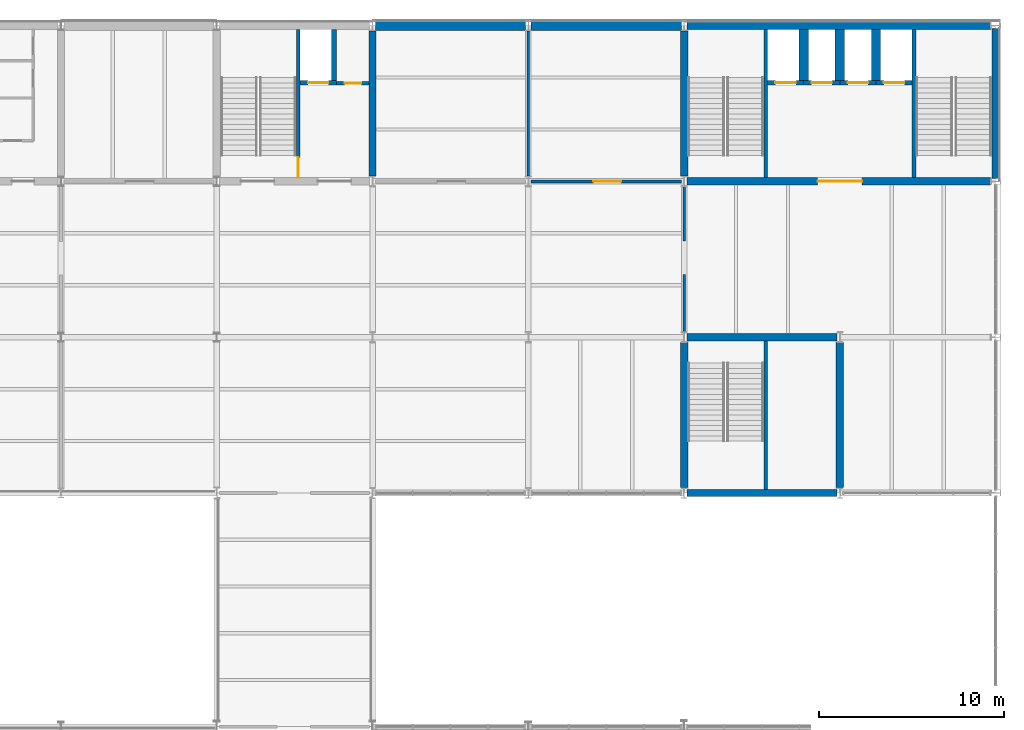
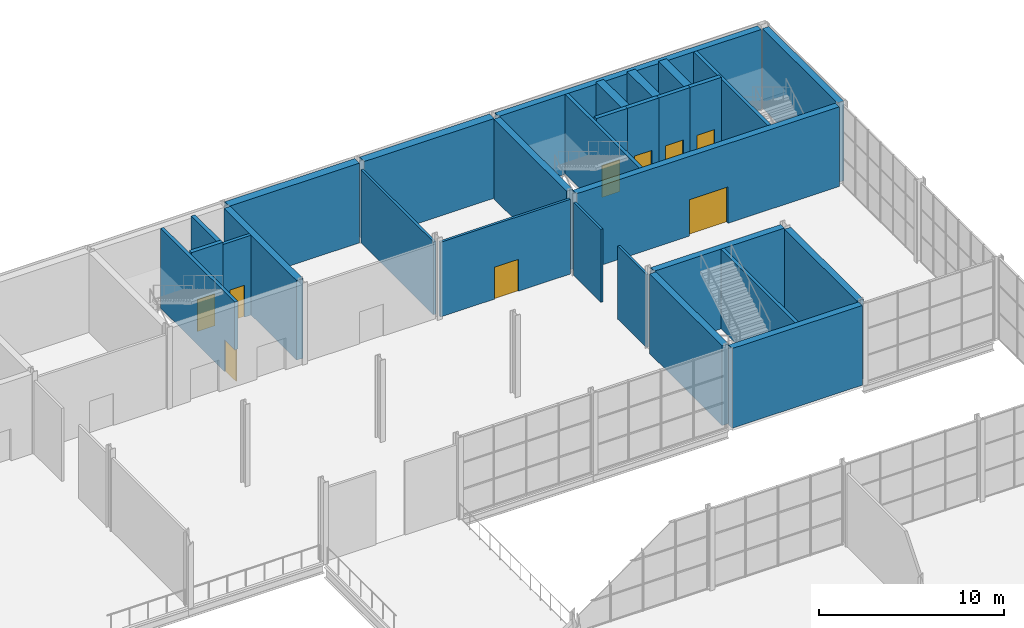
# One storey, part 44 of 64: 29 walls, 9 doors, 9 openings.
"""IFC4 building model written with IfcOpenShell, lengths in metres."""

from ifc_helpers import new_model, si_unit, direction, frame, frame_2d, origin, place, context, subcontext, project, spatial, rectangle, extrude, material, layer, layer_set, type_object, element, fill, save


model = new_model("IFC4")

# Units and contexts
model_context = context("Model", 3, precision=1e-05, world=origin(), true_north=direction((0.0, 1.0)))
body_context = subcontext(model_context, "Body", "Model", "MODEL_VIEW")
ifc_project = project(units=[si_unit("LENGTHUNIT", "METRE"), si_unit("AREAUNIT", "SQUARE_METRE"), si_unit("VOLUMEUNIT", "CUBIC_METRE"), si_unit("PLANEANGLEUNIT", "RADIAN"), si_unit("MASSUNIT", "GRAM", prefix="KILO")], contexts=[model_context])

# Site, building, storey
site_placement = place(None, origin())
site = spatial("IfcSite", under=ifc_project, at=site_placement, CompositionType="ELEMENT")
building_placement = place(site_placement, origin())
building = spatial("IfcBuilding", under=site, at=building_placement, Name="Galleria Vessillo Department Store", CompositionType="ELEMENT")
storey_placement = place(building_placement, frame((0.0, 0.0, 6.0)))
storey = spatial("IfcBuildingStorey", under=building, at=storey_placement, Name="L01", CompositionType="ELEMENT", Elevation=6.0)

# Walls
ifc_material_1 = material(Name="Solid clay block masonry", Category="masonry")
ifc_layer_1 = layer(ifc_material_1, 0.5)
ifc_layer_set_1 = layer_set([ifc_layer_1], Name="Solid clay block masonry")
wall_type_1 = type_object("IfcWallType", Name="Lift shaft partition wall 500 mm", PredefinedType="SOLIDWALL", material=ifc_layer_set_1)
for number, where, z_axis, x_axis, name in (
    (1, (107.25, 62.800048828125, 0.0), (0.0, 0.0, 1.0), (0.0, -1.0, 0.0), "Lift shaft partition wall T1 L01"),
    (2, (109.199951171875, 62.800048828125, 0.0), (0.0, 0.0, 1.0), (0.0, -1.0, 0.0), "Lift shaft partition wall T2 L01"),
    (3, (111.14990234375, 62.800048828125, 0.0), (0.0, 0.0, 1.0), (0.0, -1.0, 0.0), "Lift shaft partition wall T3 L01"),
):
    element("IfcWall", number, at=place(storey_placement, frame(where, z_axis=z_axis, x_axis=x_axis)), inside=storey, type_object=wall_type_1, Name=name, PredefinedType="SOLIDWALL", context=body_context, shape_type="SweptSolid", body=[
        extrude(rectangle(XDim=2.75, YDim=0.5, at=frame_2d((1.375, 0.0))), origin(), (0.0, 0.0, 1.0), 5.39990234375),
    ])

# Wall, opening, door
ifc_material_2 = material(Name="Solid clay block masonry", Category="masonry")
ifc_layer_2 = layer(ifc_material_2, 0.25)
ifc_layer_set_2 = layer_set([ifc_layer_2], Name="Solid clay block masonry")
wall_type_2 = type_object("IfcWallType", Name="Lift shaft wall 250 mm", PredefinedType="SOLIDWALL", material=ifc_layer_set_2)
wall_1_placement = place(storey_placement, frame((80.10009765625, 59.925048828125, 0.0), z_axis=(0.0, 0.0, 1.0), x_axis=(1.0, 0.0, 0.0)))
wall_1 = element("IfcWall", 4, at=wall_1_placement, inside=storey, type_object=wall_type_2, Name="Lift shaft wall LP6 landing side L01", PredefinedType="SOLIDWALL", context=body_context, shape_type="SweptSolid", body=[
    extrude(rectangle(XDim=1.949951171875, YDim=0.25, at=frame_2d((0.97509765625, 0.0))), origin(), (0.0, 0.0, 1.0), 5.39990234375),
])
opening_1_placement = place(wall_1_placement, frame((0.4248046875, 0.0, 0.0)))
opening_1 = element("IfcOpeningElement", 5, at=opening_1_placement, cuts=wall_1, Name="Opening LD044", PredefinedType="OPENING", context=body_context, shape_type="SweptSolid", body=[
    extrude(rectangle(XDim=1.10009765625, YDim=2.10009765625, at=frame_2d((0.550048828125, 1.050048828125))), frame((0.0, 0.135009765625, 0.0), z_axis=(0.0, -1.0, 0.0), x_axis=(1.0, 0.0, 0.0)), (0.0, 0.0, 1.0), 0.27001953125),
])
ifc_material_3 = material(Name="Stainless steel lift door panel", Category="steel")
door_type_1 = type_object("IfcDoorType", Name="Lift landing door LD110 sliding 1100 x 2100", OperationType="SLIDING_TO_LEFT", PredefinedType="DOOR", material=ifc_material_3)
door_1_placement = place(opening_1_placement, frame((1.10009765625, 0.0, 0.0), z_axis=(0.0, 0.0, 1.0), x_axis=(-1.0, 0.0, 0.0)))
door_1 = element("IfcDoor", 6, at=door_1_placement, inside=storey, type_object=door_type_1, Name="Lift landing door LP6 L01", OperationType="SLIDING_TO_RIGHT", OverallHeight=2.10009765625, OverallWidth=1.10009765625, PredefinedType="DOOR", context=body_context, shape_type="SweptSolid", body=[
    extrude(rectangle(XDim=1.10009765625, YDim=2.10009765625, at=frame_2d((0.550048828125, 1.050048828125))), frame((0.0, 0.02490234375, 0.0), z_axis=(0.0, -1.0, 0.0), x_axis=(1.0, 0.0, 0.0)), (0.0, 0.0, 1.0), 0.050048828125),
])
fill(opening_1, door_1)

# Wall
wall_2_placement = place(storey_placement, frame((81.925048828125, 62.800048828125, 0.0), z_axis=(0.0, 0.0, 1.0), x_axis=(0.0, -1.0, 0.0)))
element("IfcWall", 7, at=wall_2_placement, inside=storey, type_object=wall_type_2, Name="Lift shaft wall LP6 L01", PredefinedType="SOLIDWALL", context=body_context, shape_type="SweptSolid", body=[
    extrude(rectangle(XDim=2.75, YDim=0.25, at=frame_2d((1.375, 0.0))), origin(), (0.0, 0.0, 1.0), 5.39990234375),
])

# Wall, opening, door
wall_3_placement = place(storey_placement, frame((105.300048828125, 59.925048828125, 0.0), z_axis=(0.0, 0.0, 1.0), x_axis=(1.0, 0.0, 0.0)))
wall_3 = element("IfcWall", 8, at=wall_3_placement, inside=storey, type_object=wall_type_2, Name="Lift shaft wall T1 landing side L01", PredefinedType="SOLIDWALL", context=body_context, shape_type="SweptSolid", body=[
    extrude(rectangle(XDim=1.949951171875, YDim=0.25, at=frame_2d((0.97509765625, 0.0))), origin(), (0.0, 0.0, 1.0), 5.39990234375),
])
opening_2_placement = place(wall_3_placement, frame((0.4248046875, 0.0, 0.0)))
opening_2 = element("IfcOpeningElement", 9, at=opening_2_placement, cuts=wall_3, Name="Opening LD077", PredefinedType="OPENING", context=body_context, shape_type="SweptSolid", body=[
    extrude(rectangle(XDim=1.10009765625, YDim=2.10009765625, at=frame_2d((0.550048828125, 1.050048828125))), frame((0.0, 0.135009765625, 0.0), z_axis=(0.0, -1.0, 0.0), x_axis=(1.0, 0.0, 0.0)), (0.0, 0.0, 1.0), 0.27001953125),
])
door_2_placement = place(opening_2_placement, frame((1.10009765625, 0.0, 0.0), z_axis=(0.0, 0.0, 1.0), x_axis=(-1.0, 0.0, 0.0)))
door_2 = element("IfcDoor", 10, at=door_2_placement, inside=storey, type_object=door_type_1, Name="Lift landing door T1 L01", OperationType="SLIDING_TO_RIGHT", OverallHeight=2.10009765625, OverallWidth=1.10009765625, PredefinedType="DOOR", context=body_context, shape_type="SweptSolid", body=[
    extrude(rectangle(XDim=1.10009765625, YDim=2.10009765625, at=frame_2d((0.550048828125, 1.050048828125))), frame((0.0, 0.02490234375, 0.0), z_axis=(0.0, -1.0, 0.0), x_axis=(1.0, 0.0, 0.0)), (0.0, 0.0, 1.0), 0.050048828125),
])
fill(opening_2, door_2)

wall_4_placement = place(storey_placement, frame((107.25, 59.925048828125, 0.0), z_axis=(0.0, 0.0, 1.0), x_axis=(1.0, 0.0, 0.0)))
wall_4 = element("IfcWall", 11, at=wall_4_placement, inside=storey, type_object=wall_type_2, Name="Lift shaft wall T2 landing side L01", PredefinedType="SOLIDWALL", context=body_context, shape_type="SweptSolid", body=[
    extrude(rectangle(XDim=1.949951171875, YDim=0.25, at=frame_2d((0.97509765625, 0.0))), origin(), (0.0, 0.0, 1.0), 5.39990234375),
])
opening_3_placement = place(wall_4_placement, frame((0.425048828125, 0.0, 0.0)))
opening_3 = element("IfcOpeningElement", 12, at=opening_3_placement, cuts=wall_4, Name="Opening LD078", PredefinedType="OPENING", context=body_context, shape_type="SweptSolid", body=[
    extrude(rectangle(XDim=1.10009765625, YDim=2.10009765625, at=frame_2d((0.550048828125, 1.050048828125))), frame((0.0, 0.135009765625, 0.0), z_axis=(0.0, -1.0, 0.0), x_axis=(1.0, 0.0, 0.0)), (0.0, 0.0, 1.0), 0.27001953125),
])
door_3_placement = place(opening_3_placement, frame((1.10009765625, 0.0, 0.0), z_axis=(0.0, 0.0, 1.0), x_axis=(-1.0, 0.0, 0.0)))
door_3 = element("IfcDoor", 13, at=door_3_placement, inside=storey, type_object=door_type_1, Name="Lift landing door T2 L01", OperationType="SLIDING_TO_RIGHT", OverallHeight=2.10009765625, OverallWidth=1.10009765625, PredefinedType="DOOR", context=body_context, shape_type="SweptSolid", body=[
    extrude(rectangle(XDim=1.10009765625, YDim=2.10009765625, at=frame_2d((0.550048828125, 1.050048828125))), frame((0.0, 0.02490234375, 0.0), z_axis=(0.0, -1.0, 0.0), x_axis=(1.0, 0.0, 0.0)), (0.0, 0.0, 1.0), 0.050048828125),
])
fill(opening_3, door_3)

wall_5_placement = place(storey_placement, frame((109.199951171875, 59.925048828125, 0.0), z_axis=(0.0, 0.0, 1.0), x_axis=(1.0, 0.0, 0.0)))
wall_5 = element("IfcWall", 14, at=wall_5_placement, inside=storey, type_object=wall_type_2, Name="Lift shaft wall T3 landing side L01", PredefinedType="SOLIDWALL", context=body_context, shape_type="SweptSolid", body=[
    extrude(rectangle(XDim=1.949951171875, YDim=0.25, at=frame_2d((0.97509765625, 0.0))), origin(), (0.0, 0.0, 1.0), 5.39990234375),
])
opening_4_placement = place(wall_5_placement, frame((0.425048828125, 0.0, 0.0)))
opening_4 = element("IfcOpeningElement", 15, at=opening_4_placement, cuts=wall_5, Name="Opening LD079", PredefinedType="OPENING", context=body_context, shape_type="SweptSolid", body=[
    extrude(rectangle(XDim=1.10009765625, YDim=2.10009765625, at=frame_2d((0.550048828125, 1.050048828125))), frame((0.0, 0.135009765625, 0.0), z_axis=(0.0, -1.0, 0.0), x_axis=(1.0, 0.0, 0.0)), (0.0, 0.0, 1.0), 0.27001953125),
])
door_4_placement = place(opening_4_placement, frame((1.10009765625, 0.0, 0.0), z_axis=(0.0, 0.0, 1.0), x_axis=(-1.0, 0.0, 0.0)))
door_4 = element("IfcDoor", 16, at=door_4_placement, inside=storey, type_object=door_type_1, Name="Lift landing door T3 L01", OperationType="SLIDING_TO_RIGHT", OverallHeight=2.10009765625, OverallWidth=1.10009765625, PredefinedType="DOOR", context=body_context, shape_type="SweptSolid", body=[
    extrude(rectangle(XDim=1.10009765625, YDim=2.10009765625, at=frame_2d((0.550048828125, 1.050048828125))), frame((0.0, 0.02490234375, 0.0), z_axis=(0.0, -1.0, 0.0), x_axis=(1.0, 0.0, 0.0)), (0.0, 0.0, 1.0), 0.050048828125),
])
fill(opening_4, door_4)

wall_6_placement = place(storey_placement, frame((111.14990234375, 59.925048828125, 0.0), z_axis=(0.0, 0.0, 1.0), x_axis=(1.0, 0.0, 0.0)))
wall_6 = element("IfcWall", 17, at=wall_6_placement, inside=storey, type_object=wall_type_2, Name="Lift shaft wall T4 landing side L01", PredefinedType="SOLIDWALL", context=body_context, shape_type="SweptSolid", body=[
    extrude(rectangle(XDim=1.9501953125, YDim=0.25, at=frame_2d((0.97509765625, 0.0))), origin(), (0.0, 0.0, 1.0), 5.39990234375),
])
opening_5_placement = place(wall_6_placement, frame((0.425048828125, 0.0, 0.0)))
opening_5 = element("IfcOpeningElement", 18, at=opening_5_placement, cuts=wall_6, Name="Opening LD080", PredefinedType="OPENING", context=body_context, shape_type="SweptSolid", body=[
    extrude(rectangle(XDim=1.10009765625, YDim=2.10009765625, at=frame_2d((0.550048828125, 1.050048828125))), frame((0.0, 0.135009765625, 0.0), z_axis=(0.0, -1.0, 0.0), x_axis=(1.0, 0.0, 0.0)), (0.0, 0.0, 1.0), 0.27001953125),
])
door_5_placement = place(opening_5_placement, frame((1.10009765625, 0.0, 0.0), z_axis=(0.0, 0.0, 1.0), x_axis=(-1.0, 0.0, 0.0)))
door_5 = element("IfcDoor", 19, at=door_5_placement, inside=storey, type_object=door_type_1, Name="Lift landing door T4 L01", OperationType="SLIDING_TO_LEFT", OverallHeight=2.10009765625, OverallWidth=1.10009765625, PredefinedType="DOOR", context=body_context, shape_type="SweptSolid", body=[
    extrude(rectangle(XDim=1.10009765625, YDim=2.10009765625, at=frame_2d((0.550048828125, 1.050048828125))), frame((0.0, 0.02490234375, 0.0), z_axis=(0.0, -1.0, 0.0), x_axis=(1.0, 0.0, 0.0)), (0.0, 0.0, 1.0), 0.050048828125),
])
fill(opening_5, door_5)

# Wall
ifc_material_4 = material(Name="Concrete C32/40 reinforced", Category="concrete")
ifc_layer_3 = layer(ifc_material_4, 0.39990234375)
ifc_layer_set_3 = layer_set([ifc_layer_3], Name="Concrete C32/40 reinforced")
wall_type_3 = type_object("IfcWallType", Name="Reinforced concrete core wall 400 mm", PredefinedType="SHEAR", material=ifc_layer_set_3)
wall_7_placement = place(storey_placement, frame((84.0, 54.885986328125, 0.0), z_axis=(0.0, 0.0, 1.0), x_axis=(0.0, 1.0, 0.0)))
element("IfcWall", 20, at=wall_7_placement, inside=storey, type_object=wall_type_3, Name="S-CW-PC-NE-EAST-L01", PredefinedType="SHEAR", context=body_context, shape_type="SweptSolid", body=[
    extrude(rectangle(XDim=7.828125, YDim=0.39990234375, at=frame_2d((3.9140625, 0.0))), origin(), (0.0, 0.0, 1.0), 5.25),
])

# Wall, opening, door
wall_8_placement = place(storey_placement, frame((100.953125, 54.60009765625, 0.0), z_axis=(0.0, 0.0, 1.0), x_axis=(1.0, 0.0, 0.0)))
wall_8 = element("IfcWall", 21, at=wall_8_placement, inside=storey, type_object=wall_type_3, Name="S-CW-TC-INTERIOR-L01", PredefinedType="SHEAR", context=body_context, shape_type="SweptSolid", body=[
    extrude(rectangle(XDim=16.361083984375, YDim=0.39990234375, at=frame_2d((8.1806640625, 0.0))), origin(), (0.0, 0.0, 1.0), 5.25),
])
opening_6_placement = place(wall_8_placement, frame((7.046875, 0.0, 0.0)))
opening_6 = element("IfcOpeningElement", 22, at=opening_6_placement, cuts=wall_8, Name="Opening D5265", PredefinedType="OPENING", context=body_context, shape_type="SweptSolid", body=[
    extrude(rectangle(XDim=2.39990234375, YDim=2.39990234375, at=frame_2d((1.199951171875, 1.199951171875))), frame((0.0, 0.2099609375, 0.0), z_axis=(0.0, -1.0, 0.0), x_axis=(1.0, 0.0, 0.0)), (0.0, 0.0, 1.0), 0.419921875),
])
ifc_material_5 = material(Name="Fire-rated steel door leaf", Category="steel")
door_type_2 = type_object("IfcDoorType", Name="Door D240F double leaf 2400 x 2400", OperationType="DOUBLE_DOOR_SINGLE_SWING", PredefinedType="DOOR", material=ifc_material_5)
door_6_placement = place(opening_6_placement, origin())
door_6 = element("IfcDoor", 23, at=door_6_placement, inside=storey, type_object=door_type_2, Name="Lobby door TC-LOBBY-FLOOR L01", OperationType="DOUBLE_DOOR_SINGLE_SWING", OverallHeight=2.39990234375, OverallWidth=2.39990234375, PredefinedType="DOOR", context=body_context, shape_type="SweptSolid", body=[
    extrude(rectangle(XDim=2.39990234375, YDim=2.39990234375, at=frame_2d((1.199951171875, 1.199951171875))), frame((0.0, 0.02490234375, 0.0), z_axis=(0.0, -1.0, 0.0), x_axis=(1.0, 0.0, 0.0)), (0.0, 0.0, 1.0), 0.050048828125),
])
fill(opening_6, door_6)

# Walls
wall_9_placement = place(storey_placement, frame((100.800048828125, 54.885986328125, 0.0), z_axis=(0.0, 0.0, 1.0), x_axis=(0.0, 1.0, 0.0)))
element("IfcWall", 24, at=wall_9_placement, inside=storey, type_object=wall_type_3, Name="S-CW-TC-WEST-L01", PredefinedType="SHEAR", context=body_context, shape_type="SweptSolid", body=[
    extrude(rectangle(XDim=7.828125, YDim=0.39990234375, at=frame_2d((3.9140625, 0.0))), origin(), (0.0, 0.0, 1.0), 5.25),
])
for number, where, z_axis, x_axis, name in (
    (25, (100.953125, 37.800048828125, 0.0), (0.0, 0.0, 1.0), (1.0, 0.0, 0.0), "S-CW-TS-PARTY-L01"),
    (26, (100.953125, 46.199951171875, 0.0), (0.0, 0.0, 1.0), (1.0, 0.0, 0.0), "S-CW-TS-INTERIOR-L01"),
):
    element("IfcWall", number, at=place(storey_placement, frame(where, z_axis=z_axis, x_axis=x_axis)), inside=storey, type_object=wall_type_3, Name=name, PredefinedType="SHEAR", context=body_context, shape_type="SweptSolid", body=[
        extrude(rectangle(XDim=8.09375, YDim=0.39990234375, at=frame_2d((4.046875, 0.0))), origin(), (0.0, 0.0, 1.0), 5.25),
    ])
for number, where, z_axis, x_axis, name in (
    (27, (100.800048828125, 38.0859375, 0.0), (0.0, 0.0, 1.0), (0.0, 1.0, 0.0), "S-CW-TS-WEST-L01"),
    (28, (109.199951171875, 38.0859375, 0.0), (0.0, 0.0, 1.0), (0.0, 1.0, 0.0), "S-CW-TS-EAST-L01"),
):
    element("IfcWall", number, at=place(storey_placement, frame(where, z_axis=z_axis, x_axis=x_axis)), inside=storey, type_object=wall_type_3, Name=name, PredefinedType="SHEAR", context=body_context, shape_type="SweptSolid", body=[
        extrude(rectangle(XDim=7.828125, YDim=0.39990234375, at=frame_2d((3.9140625, 0.0))), origin(), (0.0, 0.0, 1.0), 5.25),
    ])
ifc_material_6 = material(Name="Concrete C32/40 reinforced", Category="concrete")
ifc_layer_4 = layer(ifc_material_6, 0.39990234375)
ifc_layer_set_4 = layer_set([ifc_layer_4], Name="Concrete C32/40 reinforced")
wall_type_4 = type_object("IfcWallType", Name="Reinforced concrete core wall 400 mm, external", PredefinedType="SHEAR", material=ifc_layer_set_4)
wall_10_placement = place(storey_placement, frame((100.953125, 63.0, 0.0), z_axis=(0.0, 0.0, 1.0), x_axis=(1.0, 0.0, 0.0)))
element("IfcWall", 29, at=wall_10_placement, inside=storey, type_object=wall_type_4, Name="S-CW-TC-PARTY-L01", PredefinedType="SHEAR", context=body_context, shape_type="SweptSolid", body=[
    extrude(rectangle(XDim=16.361083984375, YDim=0.39990234375, at=frame_2d((8.1806640625, 0.0))), origin(), (0.0, 0.0, 1.0), 5.25),
])
wall_11_placement = place(storey_placement, frame((117.60009765625, 54.753173828125, 0.0), z_axis=(0.0, 0.0, 1.0), x_axis=(0.0, 1.0, 0.0)))
element("IfcWall", 30, at=wall_11_placement, inside=storey, type_object=wall_type_4, Name="S-CW-TC-EAST-L01", PredefinedType="SHEAR", context=body_context, shape_type="SweptSolid", body=[
    extrude(rectangle(XDim=8.09375, YDim=0.39990234375, at=frame_2d((4.046875, 0.0))), origin(), (0.0, 0.0, 1.0), 5.25),
])
ifc_material_7 = material(Name="Concrete C32/40 reinforced", Category="concrete")
ifc_layer_5 = layer(ifc_material_7, 0.5)
ifc_layer_set_5 = layer_set([ifc_layer_5], Name="Concrete C32/40 reinforced")
wall_type_5 = type_object("IfcWallType", Name="Reinforced concrete party wall 500 mm", PredefinedType="SHEAR", material=ifc_layer_set_5)
wall_12_placement = place(storey_placement, frame((84.153076171875, 63.0, 0.0), z_axis=(0.0, 0.0, 1.0), x_axis=(1.0, 0.0, 0.0)))
element("IfcWall", 31, at=wall_12_placement, inside=storey, type_object=wall_type_5, Name="S-PN-L01-07", PredefinedType="SHEAR", context=body_context, shape_type="SweptSolid", body=[
    extrude(rectangle(XDim=8.09375, YDim=0.5, at=frame_2d((4.046875, 0.0))), origin(), (0.0, 0.0, 1.0), 5.25),
])
wall_13_placement = place(storey_placement, frame((92.552978515625, 63.0, 0.0), z_axis=(0.0, 0.0, 1.0), x_axis=(1.0, 0.0, 0.0)))
element("IfcWall", 32, at=wall_13_placement, inside=storey, type_object=wall_type_5, Name="S-PN-L01-08", PredefinedType="SHEAR", context=body_context, shape_type="SweptSolid", body=[
    extrude(rectangle(XDim=8.093994140625, YDim=0.5, at=frame_2d((4.046875, 0.0))), origin(), (0.0, 0.0, 1.0), 5.25),
])

# Wall, opening, door
ifc_material_8 = material(Name="Concrete C32/40 reinforced", Category="concrete")
ifc_layer_6 = layer(ifc_material_8, 0.199951171875)
ifc_layer_set_6 = layer_set([ifc_layer_6], Name="Concrete C32/40 reinforced")
wall_type_6 = type_object("IfcWallType", Name="Reinforced concrete stair enclosure wall 200 mm", PredefinedType="SHEAR", material=ifc_layer_set_6)
wall_14_placement = place(storey_placement, frame((80.0, 62.800048828125, 0.0), z_axis=(0.0, 0.0, 1.0), x_axis=(0.0, -1.0, 0.0)))
wall_14 = element("IfcWall", 33, at=wall_14_placement, inside=storey, type_object=wall_type_6, Name="Stair enclosure wall PC-NE L01", PredefinedType="SHEAR", context=body_context, shape_type="SweptSolid", body=[
    extrude(rectangle(XDim=8.0, YDim=0.199951171875, at=frame_2d((4.0, 0.0))), origin(), (0.0, 0.0, 1.0), 5.25),
])
opening_7_placement = place(wall_14_placement, frame((6.89990234375, 0.0, 0.0)))
opening_7 = element("IfcOpeningElement", 34, at=opening_7_placement, cuts=wall_14, Name="Opening D5169", PredefinedType="OPENING", context=body_context, shape_type="SweptSolid", body=[
    extrude(rectangle(XDim=1.11009765625, YDim=2.10009765625, at=frame_2d((0.554931640625, 1.050048828125))), frame((0.0, 0.10986328125, 0.0), z_axis=(0.0, -1.0, 0.0), x_axis=(1.0, 0.0, 0.0)), (0.0, 0.0, 1.0), 0.219970703125),
])
ifc_material_9 = material(Name="Fire-rated steel door leaf", Category="steel")
door_type_3 = type_object("IfcDoorType", Name="Door D110F stair door 1100 x 2100", OperationType="SINGLE_SWING_LEFT", PredefinedType="DOOR", material=ifc_material_9)
door_7_placement = place(opening_7_placement, frame((1.10009765625, 0.0, 0.0), z_axis=(0.0, 0.0, 1.0), x_axis=(-1.0, 0.0, 0.0)))
door_7 = element("IfcDoor", 35, at=door_7_placement, inside=storey, type_object=door_type_3, Name="Stair door PC-NE-ST-LOBBY L01", OperationType="SINGLE_SWING_LEFT", OverallHeight=2.10009765625, OverallWidth=1.10009765625, PredefinedType="DOOR", context=body_context, shape_type="SweptSolid", body=[
    extrude(rectangle(XDim=1.10009765625, YDim=2.10009765625, at=frame_2d((0.550048828125, 1.050048828125))), frame((0.0, 0.02490234375, 0.0), z_axis=(0.0, -1.0, 0.0), x_axis=(1.0, 0.0, 0.0)), (0.0, 0.0, 1.0), 0.050048828125),
])
fill(opening_7, door_7)

# Walls
for number, where, z_axis, x_axis, name in (
    (36, (105.199951171875, 62.800048828125, 0.0), (0.0, 0.0, 1.0), (0.0, -1.0, 0.0), "Stair enclosure wall TC L01"),
    (37, (113.199951171875, 62.800048828125, 0.0), (0.0, 0.0, 1.0), (0.0, -1.0, 0.0), "Stair enclosure wall TC L01"),
    (38, (105.199951171875, 38.0, 0.0), (0.0, 0.0, 1.0), (0.0, 1.0, 0.0), "Stair enclosure wall TS L01"),
):
    element("IfcWall", number, at=place(storey_placement, frame(where, z_axis=z_axis, x_axis=x_axis)), inside=storey, type_object=wall_type_6, Name=name, PredefinedType="SHEAR", context=body_context, shape_type="SweptSolid", body=[
        extrude(rectangle(XDim=8.0, YDim=0.199951171875, at=frame_2d((4.0, 0.0))), origin(), (0.0, 0.0, 1.0), 5.25),
    ])

# Wall, opening, door
ifc_material_10 = material(Name="Hollow clay block masonry", Category="masonry")
ifc_layer_7 = layer(ifc_material_10, 0.199951171875)
ifc_layer_set_7 = layer_set([ifc_layer_7], Name="Hollow clay block masonry")
wall_type_7 = type_object("IfcWallType", Name="Riser and service room wall 200 mm", PredefinedType="PARTITIONING", material=ifc_layer_set_7)
wall_15_placement = place(storey_placement, frame((82.050048828125, 59.900146484375, 0.0), z_axis=(0.0, 0.0, 1.0), x_axis=(1.0, 0.0, 0.0)))
wall_15 = element("IfcWall", 39, at=wall_15_placement, inside=storey, type_object=wall_type_7, Name="Riser wall PC-NE-RISER L01", PredefinedType="PARTITIONING", context=body_context, shape_type="SweptSolid", body=[
    extrude(rectangle(XDim=1.75, YDim=0.199951171875, at=frame_2d((0.875, 0.0))), origin(), (0.0, 0.0, 1.0), 5.25),
])
opening_8_placement = place(wall_15_placement, frame((0.449951171875, 0.0, 0.0)))
opening_8 = element("IfcOpeningElement", 40, at=opening_8_placement, cuts=wall_15, Name="Opening D5170", PredefinedType="OPENING", context=body_context, shape_type="SweptSolid", body=[
    extrude(rectangle(XDim=0.89990234375, YDim=2.10009765625, at=frame_2d((0.449951171875, 1.050048828125))), frame((0.0, 0.10986328125, 0.0), z_axis=(0.0, -1.0, 0.0), x_axis=(1.0, 0.0, 0.0)), (0.0, 0.0, 1.0), 0.219970703125),
])
ifc_material_11 = material(Name="Fire-rated steel door leaf", Category="steel")
door_type_4 = type_object("IfcDoorType", Name="Door DR90 riser access 900 x 2100", OperationType="SINGLE_SWING_LEFT", PredefinedType="DOOR", material=ifc_material_11)
door_8_placement = place(opening_8_placement, origin())
door_8 = element("IfcDoor", 41, at=door_8_placement, inside=storey, type_object=door_type_4, Name="Riser door PC-NE-RISER-D L01", OperationType="SINGLE_SWING_RIGHT", OverallHeight=2.10009765625, OverallWidth=0.89990234375, PredefinedType="DOOR", context=body_context, shape_type="SweptSolid", body=[
    extrude(rectangle(XDim=0.89990234375, YDim=2.10009765625, at=frame_2d((0.449951171875, 1.050048828125))), frame((0.0, 0.02490234375, 0.0), z_axis=(0.0, -1.0, 0.0), x_axis=(1.0, 0.0, 0.0)), (0.0, 0.0, 1.0), 0.050048828125),
])
fill(opening_8, door_8)

# Walls
ifc_material_12 = material(Name="Gypsum board partition")
ifc_layer_8 = layer(ifc_material_12, 0.139892578125)
ifc_layer_set_8 = layer_set([ifc_layer_8], Name="Gypsum board partition")
wall_type_8 = type_object("IfcWallType", Name="Sales dividing wall 140 mm", PredefinedType="PARTITIONING", material=ifc_layer_set_8)
wall_16_placement = place(storey_placement, frame((100.800048828125, 46.48583984375, 0.0), z_axis=(0.0, 0.0, 1.0), x_axis=(0.0, 1.0, 0.0)))
element("IfcWall", 42, at=wall_16_placement, inside=storey, type_object=wall_type_8, Name="Partition wall PT3 on L01 no. 063", PredefinedType="PARTITIONING", context=body_context, shape_type="SweptSolid", body=[
    extrude(rectangle(XDim=3.10009765625, YDim=0.139892578125, at=frame_2d((1.550048828125, 0.0))), origin(), (0.0, 0.0, 1.0), 4.81005859375),
])
wall_17_placement = place(storey_placement, frame((100.800048828125, 51.385986328125, 0.0), z_axis=(0.0, 0.0, 1.0), x_axis=(0.0, 1.0, 0.0)))
element("IfcWall", 43, at=wall_17_placement, inside=storey, type_object=wall_type_8, Name="Partition wall PT3 on L01 no. 064", PredefinedType="PARTITIONING", context=body_context, shape_type="SweptSolid", body=[
    extrude(rectangle(XDim=2.92822265625, YDim=0.139892578125, at=frame_2d((1.464111328125, 0.0))), origin(), (0.0, 0.0, 1.0), 4.81005859375),
])
ifc_material_13 = material(Name="Concrete blockwork", Category="masonry")
ifc_layer_9 = layer(ifc_material_13, 0.14990234375)
ifc_layer_set_9 = layer_set([ifc_layer_9], Name="Concrete blockwork")
wall_type_9 = type_object("IfcWallType", Name="Stockroom blockwork wall 150 mm", PredefinedType="SOLIDWALL", material=ifc_layer_set_9)
wall_18_placement = place(storey_placement, frame((92.39990234375, 54.885986328125, 0.0), z_axis=(0.0, 0.0, 1.0), x_axis=(0.0, 1.0, 0.0)))
element("IfcWall", 44, at=wall_18_placement, inside=storey, type_object=wall_type_9, Name="Partition wall PT4 on L01 no. 030", PredefinedType="SOLIDWALL", context=body_context, shape_type="SweptSolid", body=[
    extrude(rectangle(XDim=7.828125, YDim=0.14990234375, at=frame_2d((3.9140625, 0.0))), origin(), (0.0, 0.0, 1.0), 4.81005859375),
])

# Wall, opening, door
wall_19_placement = place(storey_placement, frame((92.552978515625, 54.60009765625, 0.0), z_axis=(0.0, 0.0, 1.0), x_axis=(1.0, 0.0, 0.0)))
wall_19 = element("IfcWall", 45, at=wall_19_placement, inside=storey, type_object=wall_type_9, Name="Partition wall PT4 on L01 no. 032", PredefinedType="SOLIDWALL", context=body_context, shape_type="SweptSolid", body=[
    extrude(rectangle(XDim=8.093994140625, YDim=0.14990234375, at=frame_2d((4.046875, 0.0))), origin(), (0.0, 0.0, 1.0), 4.919921875),
])
opening_9_placement = place(wall_19_placement, frame((3.35009765625, 0.0, 0.0)))
opening_9 = element("IfcOpeningElement", 46, at=opening_9_placement, cuts=wall_19, Name="Opening D2320", PredefinedType="OPENING", context=body_context, shape_type="SweptSolid", body=[
    extrude(rectangle(XDim=1.5, YDim=2.10009765625, at=frame_2d((0.75, 1.050048828125))), frame((0.0, 0.0849609375, 0.0), z_axis=(0.0, -1.0, 0.0), x_axis=(1.0, 0.0, 0.0)), (0.0, 0.0, 1.0), 0.169921875),
])
ifc_material_14 = material(Name="Steel fire door leaf", Category="steel")
door_type_5 = type_object("IfcDoorType", Name="Stockroom fire door 1500 double leaf", OperationType="DOUBLE_DOOR_SINGLE_SWING", PredefinedType="DOOR", material=ifc_material_14)
door_9_placement = place(opening_9_placement, origin())
door_9 = element("IfcDoor", 47, at=door_9_placement, inside=storey, type_object=door_type_5, Name="Door D2320", OperationType="DOUBLE_DOOR_SINGLE_SWING", OverallHeight=2.10009765625, OverallWidth=1.5, PredefinedType="DOOR", context=body_context, shape_type="SweptSolid", body=[
    extrude(rectangle(XDim=1.5, YDim=2.10009765625, at=frame_2d((0.75, 1.050048828125))), frame((0.0, 0.02490234375, 0.0), z_axis=(0.0, -1.0, 0.0), x_axis=(1.0, 0.0, 0.0)), (0.0, 0.0, 1.0), 0.050048828125),
])
fill(opening_9, door_9)

save(model, "model.ifc")
